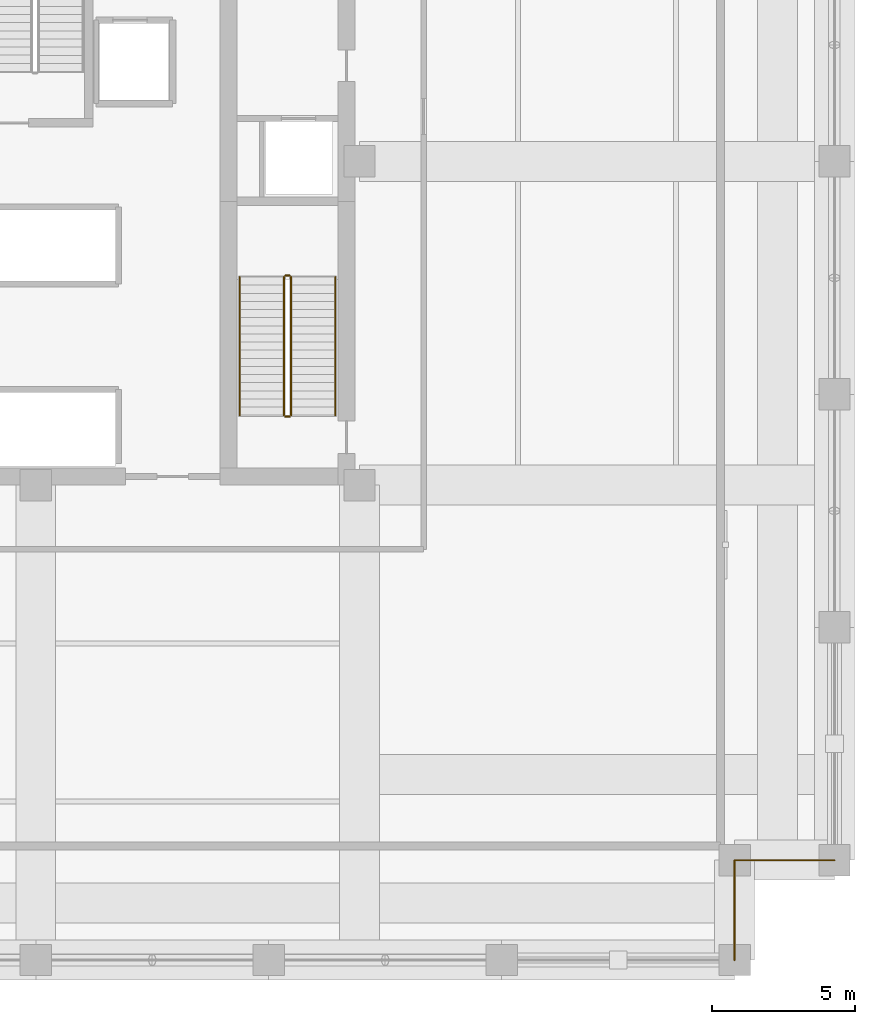
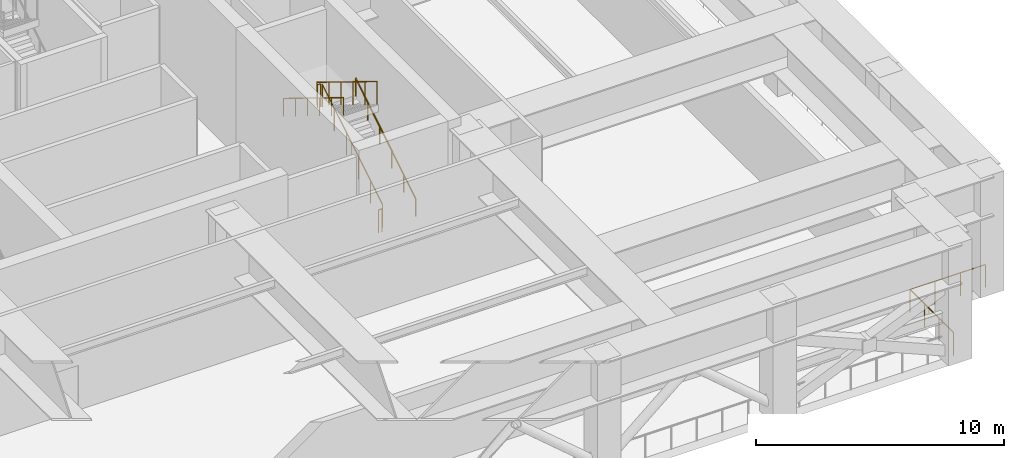
# One storey, part 9 of 12: 8 railings.
"""IFC4 building model written with IfcOpenShell, lengths in metres."""

from ifc_helpers import new_model, si_unit, direction, frame, origin, origin_2d, place, context, subcontext, project, spatial, circle, extrude, material, type_object, element, save


model = new_model("IFC4")

# Units and contexts
model_context = context("Model", 3, precision=1e-05, world=origin(), true_north=direction((0.0, 1.0)))
body_context = subcontext(model_context, "Body", "Model", "MODEL_VIEW")
ifc_project = project(units=[si_unit("LENGTHUNIT", "METRE"), si_unit("AREAUNIT", "SQUARE_METRE"), si_unit("VOLUMEUNIT", "CUBIC_METRE"), si_unit("PLANEANGLEUNIT", "RADIAN"), si_unit("MASSUNIT", "GRAM", prefix="KILO")], contexts=[model_context])

# Site, building, storey
site_placement = place(None, origin())
site = spatial("IfcSite", under=ifc_project, at=site_placement, CompositionType="ELEMENT")
building_placement = place(site_placement, origin())
building = spatial("IfcBuilding", under=site, at=building_placement, Name="Nhamokura Convention Tower", CompositionType="ELEMENT")
storey_placement = place(building_placement, frame((0.0, 0.0, 99.75)))
storey = spatial("IfcBuildingStorey", under=building, at=storey_placement, Name="L24", CompositionType="ELEMENT", Elevation=99.75)

# Railings
ifc_material_1 = material(Name="Anodised bronze stainless steel", Category="steel")
railing_type_1 = type_object("IfcRailingType", Name="StairWallHandrail_900", PredefinedType="HANDRAIL", material=ifc_material_1)
railing_1_placement = place(storey_placement, frame((42.5, 23.10009765625, 0.175048828125)))
element("IfcRailing", 1, at=railing_1_placement, inside=storey, type_object=railing_type_1, Name="L24 ST-02 stair handrail 1", PredefinedType="HANDRAIL", context=body_context, shape_type="SweptSolid", body=[
    extrude(circle(Radius=0.02392578125, at=origin_2d()), frame((0.0, 0.0, 0.8759765625), z_axis=(0.0, 0.852181303558, 0.523246620502), x_axis=(-1.0, 0.0, 0.0)), (0.0, 0.0, 1.0), 5.685302734375),
    extrude(circle(Radius=0.02099609375, at=origin_2d()), origin(), (0.0, 0.0, 1.0), 0.851806640625),
    extrude(circle(Radius=0.02099609375, at=origin_2d()), frame((0.0, 0.968994140625, 0.594970703125)), (0.0, 0.0, 1.0), 0.851806640625),
    extrude(circle(Radius=0.02099609375, at=origin_2d()), frame((0.0, 1.93798828125, 1.18994140625)), (0.0, 0.0, 1.0), 0.851806640625),
    extrude(circle(Radius=0.02099609375, at=origin_2d()), frame((0.0, 2.906982421875, 1.784912109375)), (0.0, 0.0, 1.0), 0.851806640625),
    extrude(circle(Radius=0.02099609375, at=origin_2d()), frame((0.0, 3.8759765625, 2.3798828125)), (0.0, 0.0, 1.0), 0.851806640625),
    extrude(circle(Radius=0.02099609375, at=origin_2d()), frame((0.0, 4.844970703125, 2.974853515625)), (0.0, 0.0, 1.0), 0.851806640625),
])
railing_2_placement = place(storey_placement, frame((39.14990234375, 27.945068359375, 3.324951171875)))
element("IfcRailing", 2, at=railing_2_placement, inside=storey, type_object=railing_type_1, Name="L24 ST-02 stair handrail 2", PredefinedType="HANDRAIL", context=body_context, shape_type="SweptSolid", body=[
    extrude(circle(Radius=0.02392578125, at=origin_2d()), frame((0.0, 0.0, 0.8759765625), z_axis=(0.0, -0.852162155598, 0.52327780439), x_axis=(1.0, 0.0, 0.0)), (0.0, 0.0, 1.0), 5.685546875),
    extrude(circle(Radius=0.02099609375, at=origin_2d()), origin(), (0.0, 0.0, 1.0), 0.851806640625),
    extrude(circle(Radius=0.02099609375, at=origin_2d()), frame((0.0, -0.968994140625, 0.594970703125)), (0.0, 0.0, 1.0), 0.851806640625),
    extrude(circle(Radius=0.02099609375, at=origin_2d()), frame((0.0, -1.93798828125, 1.18994140625)), (0.0, 0.0, 1.0), 0.851806640625),
    extrude(circle(Radius=0.02099609375, at=origin_2d()), frame((0.0, -2.906982421875, 1.78515625)), (0.0, 0.0, 1.0), 0.851806640625),
    extrude(circle(Radius=0.02099609375, at=origin_2d()), frame((0.0, -3.8759765625, 2.380126953125)), (0.0, 0.0, 1.0), 0.851806640625),
    extrude(circle(Radius=0.02099609375, at=origin_2d()), frame((0.0, -4.844970703125, 2.97509765625)), (0.0, 0.0, 1.0), 0.851806640625),
])
ifc_material_2 = material(Name="Painted tubular steel", Category="steel")
railing_type_2 = type_object("IfcRailingType", Name="StairWellGuardrail_1150", PredefinedType="GUARDRAIL", material=ifc_material_2)
railing_3_placement = place(storey_placement, frame((40.949951171875, 23.10009765625, 0.175048828125)))
element("IfcRailing", 3, at=railing_3_placement, inside=storey, type_object=railing_type_2, Name="L24 ST-02 stair guard 1", PredefinedType="GUARDRAIL", context=body_context, shape_type="SweptSolid", body=[
    extrude(circle(Radius=0.02392578125, at=origin_2d()), frame((0.0, 0.0, 1.1259765625), z_axis=(0.0, 0.852181303558, 0.523246620502), x_axis=(-1.0, 0.0, 0.0)), (0.0, 0.0, 1.0), 5.685302734375),
    extrude(circle(Radius=0.02099609375, at=origin_2d()), origin(), (0.0, 0.0, 1.0), 1.101806640625),
    extrude(circle(Radius=0.02099609375, at=origin_2d()), frame((0.0, 0.968994140625, 0.594970703125)), (0.0, 0.0, 1.0), 1.101806640625),
    extrude(circle(Radius=0.02099609375, at=origin_2d()), frame((0.0, 1.93798828125, 1.18994140625)), (0.0, 0.0, 1.0), 1.101806640625),
    extrude(circle(Radius=0.02099609375, at=origin_2d()), frame((0.0, 2.906982421875, 1.784912109375)), (0.0, 0.0, 1.0), 1.101806640625),
    extrude(circle(Radius=0.02099609375, at=origin_2d()), frame((0.0, 3.8759765625, 2.3798828125)), (0.0, 0.0, 1.0), 1.101806640625),
    extrude(circle(Radius=0.02099609375, at=origin_2d()), frame((0.0, 4.844970703125, 2.974853515625)), (0.0, 0.0, 1.0), 1.101806640625),
])
railing_4_placement = place(storey_placement, frame((40.89990234375, 27.9951171875, 3.14990234375)))
element("IfcRailing", 4, at=railing_4_placement, inside=storey, type_object=railing_type_2, Name="L24 ST-02 stair guard 2", PredefinedType="GUARDRAIL", context=body_context, shape_type="SweptSolid", body=[
    extrude(circle(Radius=0.02392578125, at=origin_2d()), frame((0.0, 0.0, 1.1259765625), z_axis=(-1.0, 0.0, 0.0), x_axis=(0.0, -1.0, 0.0)), (0.0, 0.0, 1.0), 0.14990234375),
    extrude(circle(Radius=0.02099609375, at=origin_2d()), origin(), (0.0, 0.0, 1.0), 1.101806640625),
    extrude(circle(Radius=0.02099609375, at=origin_2d()), frame((-0.14990234375, 0.0, 0.0)), (0.0, 0.0, 1.0), 1.101806640625),
])
railing_5_placement = place(storey_placement, frame((40.699951171875, 27.945068359375, 3.324951171875)))
element("IfcRailing", 5, at=railing_5_placement, inside=storey, type_object=railing_type_2, Name="L24 ST-02 stair guard 3", PredefinedType="GUARDRAIL", context=body_context, shape_type="SweptSolid", body=[
    extrude(circle(Radius=0.02392578125, at=origin_2d()), frame((0.0, 0.0, 1.1259765625), z_axis=(0.0, -0.852162155598, 0.52327780439), x_axis=(1.0, 0.0, 0.0)), (0.0, 0.0, 1.0), 5.685546875),
    extrude(circle(Radius=0.02099609375, at=origin_2d()), origin(), (0.0, 0.0, 1.0), 1.101806640625),
    extrude(circle(Radius=0.02099609375, at=origin_2d()), frame((0.0, -0.968994140625, 0.594970703125)), (0.0, 0.0, 1.0), 1.101806640625),
    extrude(circle(Radius=0.02099609375, at=origin_2d()), frame((0.0, -1.93798828125, 1.18994140625)), (0.0, 0.0, 1.0), 1.101806640625),
    extrude(circle(Radius=0.02099609375, at=origin_2d()), frame((0.0, -2.906982421875, 1.78515625)), (0.0, 0.0, 1.0), 1.101806640625),
    extrude(circle(Radius=0.02099609375, at=origin_2d()), frame((0.0, -3.8759765625, 2.380126953125)), (0.0, 0.0, 1.0), 1.101806640625),
    extrude(circle(Radius=0.02099609375, at=origin_2d()), frame((0.0, -4.844970703125, 2.97509765625)), (0.0, 0.0, 1.0), 1.101806640625),
])
railing_6_placement = place(storey_placement, frame((40.89990234375, 23.050048828125, 0.0)))
element("IfcRailing", 6, at=railing_6_placement, inside=storey, type_object=railing_type_2, Name="L24 ST-02 stair guard 4", PredefinedType="GUARDRAIL", context=body_context, shape_type="SweptSolid", body=[
    extrude(circle(Radius=0.02392578125, at=origin_2d()), frame((0.0, 0.0, 1.1259765625), z_axis=(-1.0, 0.0, 0.0), x_axis=(0.0, -1.0, 0.0)), (0.0, 0.0, 1.0), 0.14990234375),
    extrude(circle(Radius=0.02099609375, at=origin_2d()), origin(), (0.0, 0.0, 1.0), 1.101806640625),
    extrude(circle(Radius=0.02099609375, at=origin_2d()), frame((-0.14990234375, 0.0, 0.0)), (0.0, 0.0, 1.0), 1.101806640625),
])
ifc_material_3 = material(Name="Anodised bronze stainless steel", Category="steel")
railing_type_3 = type_object("IfcRailingType", Name="TerraceGuardrail_1150", PredefinedType="GUARDRAIL", material=ifc_material_3)
railing_7_placement = place(storey_placement, frame((56.5, 4.0, 0.0)))
element("IfcRailing", 7, at=railing_7_placement, inside=storey, type_object=railing_type_3, Name="L24 Perimeter Guardrail 02", PredefinedType="GUARDRAIL", context=body_context, shape_type="SweptSolid", body=[
    extrude(circle(Radius=0.02392578125, at=origin_2d()), frame((0.0, 0.0, 1.1259765625), z_axis=(0.0, 1.0, 0.0), x_axis=(-1.0, 0.0, 0.0)), (0.0, 0.0, 1.0), 3.5),
    extrude(circle(Radius=0.02099609375, at=origin_2d()), origin(), (0.0, 0.0, 1.0), 1.101806640625),
    extrude(circle(Radius=0.02099609375, at=origin_2d()), frame((0.0, 1.166748046875, 0.0)), (0.0, 0.0, 1.0), 1.101806640625),
    extrude(circle(Radius=0.02099609375, at=origin_2d()), frame((0.0, 2.333251953125, 0.0)), (0.0, 0.0, 1.0), 1.101806640625),
    extrude(circle(Radius=0.02099609375, at=origin_2d()), frame((0.0, 3.5, 0.0)), (0.0, 0.0, 1.0), 1.101806640625),
])
railing_8_placement = place(storey_placement, frame((56.5, 7.5, 0.0)))
element("IfcRailing", 8, at=railing_8_placement, inside=storey, type_object=railing_type_3, Name="L24 Perimeter Guardrail 03", PredefinedType="GUARDRAIL", context=body_context, shape_type="SweptSolid", body=[
    extrude(circle(Radius=0.02392578125, at=origin_2d()), frame((0.0, 0.0, 1.1259765625), z_axis=(1.0, 0.0, 0.0), x_axis=(0.0, 1.0, 0.0)), (0.0, 0.0, 1.0), 3.5),
    extrude(circle(Radius=0.02099609375, at=origin_2d()), origin(), (0.0, 0.0, 1.0), 1.101806640625),
    extrude(circle(Radius=0.02099609375, at=origin_2d()), frame((1.166748046875, 0.0, 0.0)), (0.0, 0.0, 1.0), 1.101806640625),
    extrude(circle(Radius=0.02099609375, at=origin_2d()), frame((2.333251953125, 0.0, 0.0)), (0.0, 0.0, 1.0), 1.101806640625),
    extrude(circle(Radius=0.02099609375, at=origin_2d()), frame((3.5, 0.0, 0.0)), (0.0, 0.0, 1.0), 1.101806640625),
])

save(model, "model.ifc")
